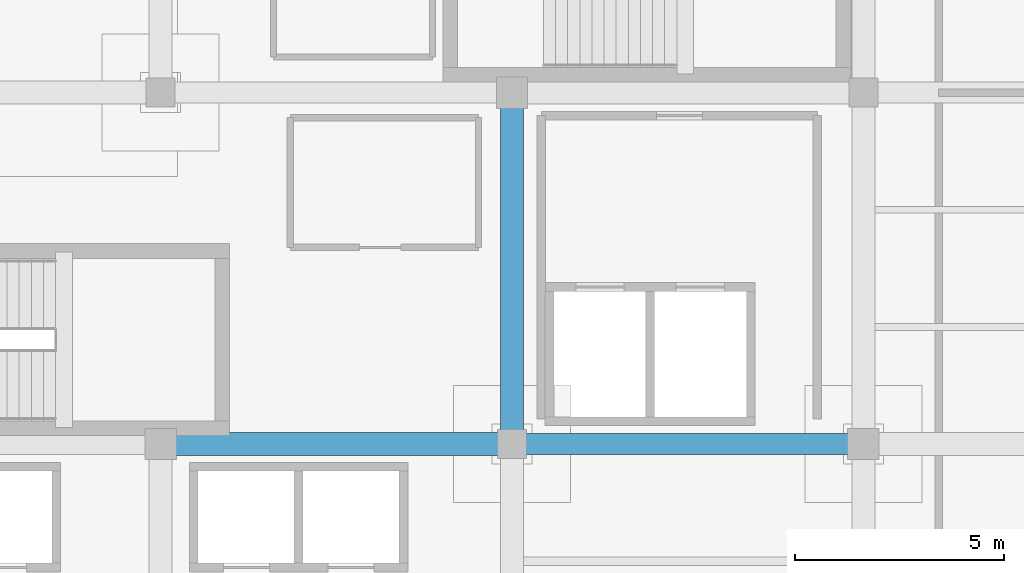
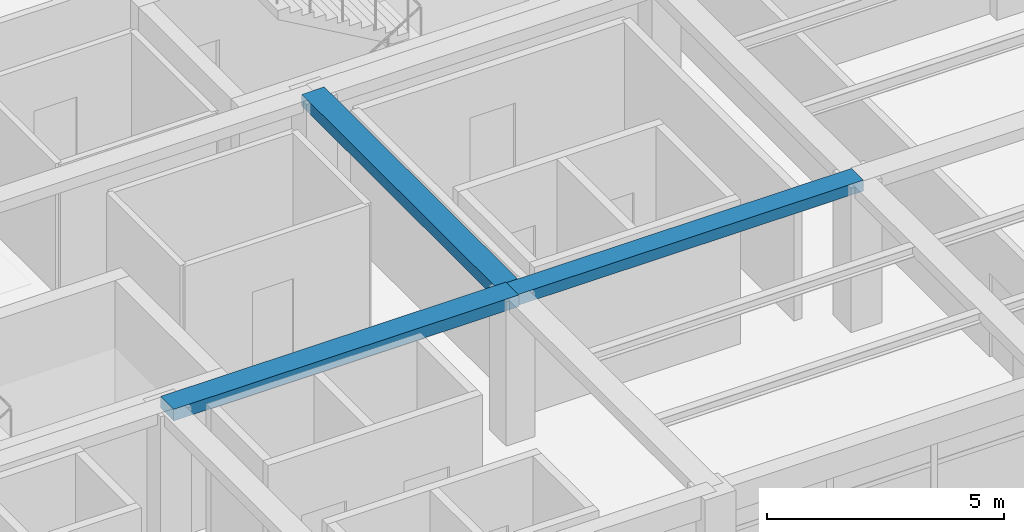
# One storey, part 7 of 31: 3 beams.
"""IFC4 building model written with IfcOpenShell, lengths in metres."""

from ifc_helpers import new_model, si_unit, direction, frame, origin, origin_2d, place, context, subcontext, project, spatial, rectangle, extrude, material, material_profile, profile_set, type_object, element, save


model = new_model("IFC4")

# Units and contexts
model_context = context("Model", 3, precision=1e-05, world=origin(), true_north=direction((0.0, 1.0)))
body_context = subcontext(model_context, "Body", "Model", "MODEL_VIEW")
ifc_project = project(units=[si_unit("LENGTHUNIT", "METRE"), si_unit("AREAUNIT", "SQUARE_METRE"), si_unit("VOLUMEUNIT", "CUBIC_METRE"), si_unit("PLANEANGLEUNIT", "RADIAN"), si_unit("MASSUNIT", "GRAM", prefix="KILO")], contexts=[model_context])

# Site, building, storey
site_placement = place(None, origin())
site = spatial("IfcSite", under=ifc_project, at=site_placement, CompositionType="ELEMENT")
building_placement = place(site_placement, origin())
building = spatial("IfcBuilding", under=site, at=building_placement, Name="Almacenes y Pasaje Nevantli", CompositionType="ELEMENT")
storey_placement = place(building_placement, frame((0.0, 0.0, 34.699951171875)))
storey = spatial("IfcBuildingStorey", under=building, at=storey_placement, Name="L08", CompositionType="ELEMENT", Elevation=34.699951171875)

# Beams
ifc_material_1 = material(Name="Concrete C35/45", Category="concrete")
ifc_material_profile_1 = material_profile(ifc_material_1, rectangle(XDim=0.5, YDim=0.280029296875, at=origin_2d()), Name="RC-BM-500x280")
ifc_profile_set_1 = profile_set([ifc_material_profile_1], Name="Concrete C35/45")
beam_type_1 = type_object("IfcBeamType", Name="BM-RC-500x280", PredefinedType="BEAM", material=ifc_profile_set_1)
beam_placement = place(storey_placement, frame((134.39990234375, 75.60009765625, 3.580078125), z_axis=(1.0, 0.0, 0.0), x_axis=(0.0, 1.0, 0.0)))
element("IfcBeam", 1, at=beam_placement, inside=storey, type_object=beam_type_1, Name="L08 East-West Reinforced Concrete Beam #3694", PredefinedType="BEAM", context=body_context, shape_type="SweptSolid", body=[
    extrude(rectangle(XDim=0.5, YDim=0.280029296875, at=origin_2d()), origin(), (0.0, 0.0, 1.0), 8.400146484375),
])
ifc_material_2 = material(Name="Concrete C35/45", Category="concrete")
ifc_material_profile_2 = material_profile(ifc_material_2, rectangle(XDim=0.550048828125, YDim=0.300048828125, at=origin_2d()), Name="RC-BM-550x300")
ifc_profile_set_2 = profile_set([ifc_material_profile_2], Name="Concrete C35/45")
beam_type_2 = type_object("IfcBeamType", Name="BM-RC-550x300", PredefinedType="BEAM", material=ifc_profile_set_2)
for number, where, z_axis, x_axis, name in (
    (2, (126.0, 75.60009765625, 3.570068359375), (1.0, 0.0, 0.0), (0.0, 1.0, 0.0), "L08 East-West Reinforced Concrete Beam #3693"),
    (3, (134.39990234375, 75.60009765625, 3.570068359375), (0.0, 1.0, 0.0), (-1.0, 0.0, 0.0), "L08 North-South Reinforced Concrete Beam #3727"),
):
    element("IfcBeam", number, at=place(storey_placement, frame(where, z_axis=z_axis, x_axis=x_axis)), inside=storey, type_object=beam_type_2, Name=name, PredefinedType="BEAM", context=body_context, shape_type="SweptSolid", body=[
        extrude(rectangle(XDim=0.550048828125, YDim=0.300048828125, at=origin_2d()), origin(), (0.0, 0.0, 1.0), 8.39990234375),
    ])

save(model, "model.ifc")
